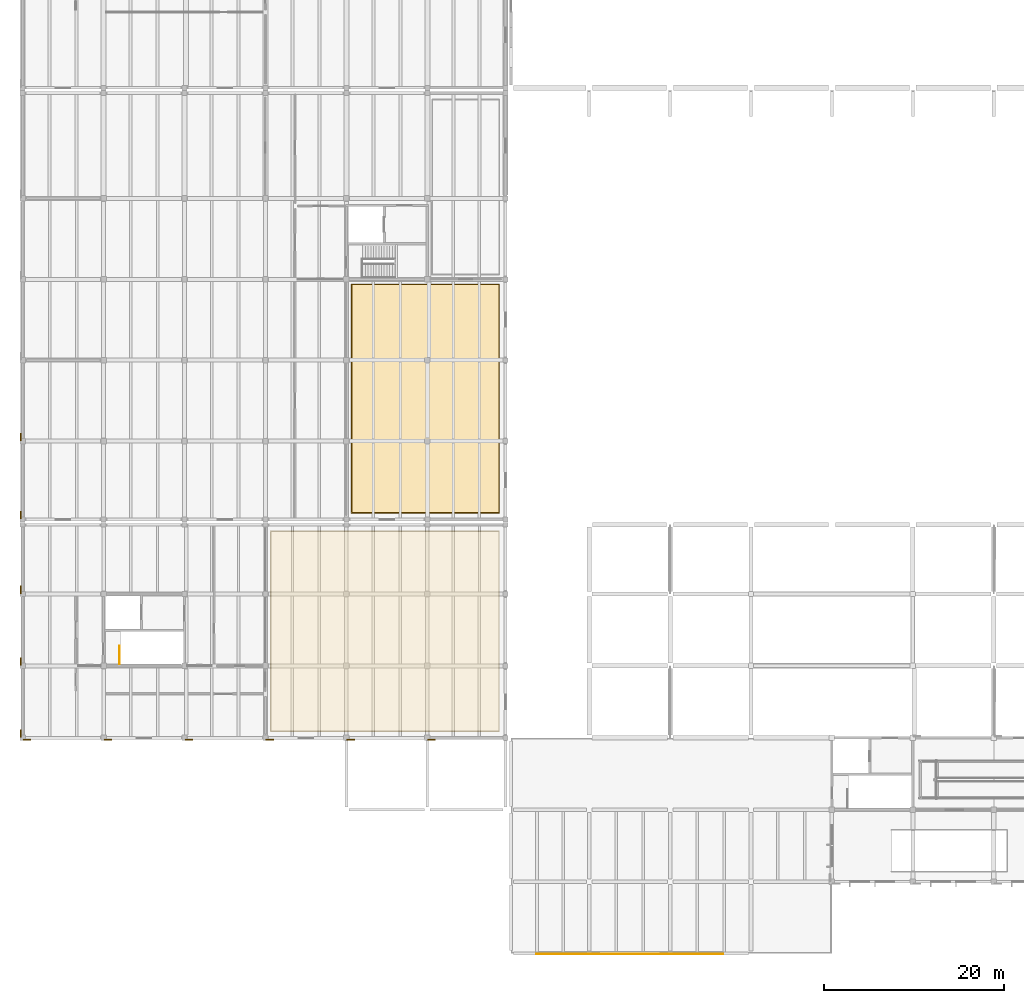
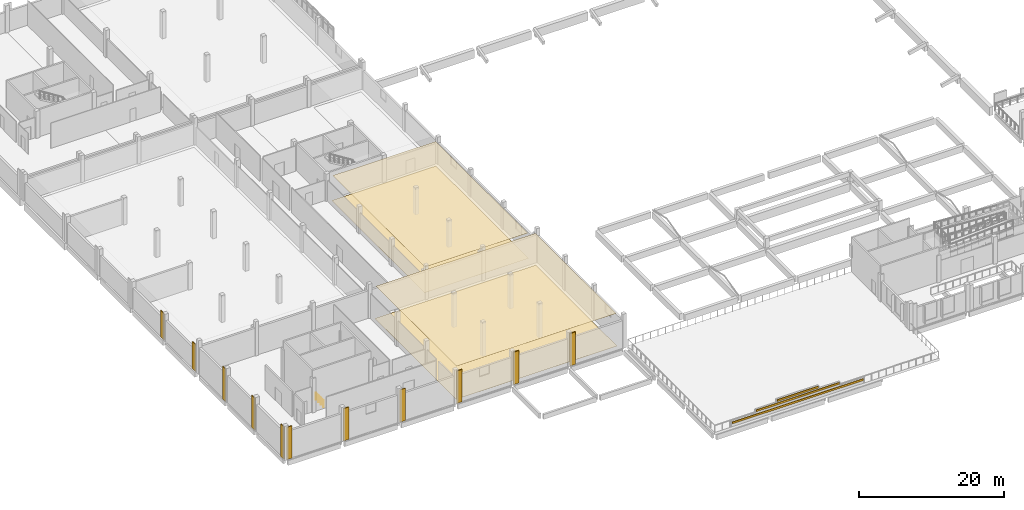
# One storey, part 48 of 63: 18 coverings, 1 railing.
"""IFC4 building model written with IfcOpenShell, lengths in metres."""

import ifcopenshell
import ifcopenshell.guid

model = None  # the IFC model being written
_history = None  # IfcOwnerHistory: only IFC2X3 demands one
_inside = {}  # id of a spatial element -> (the spatial element, [elements in it])
_under = {}  # id of a project, library or spatial element -> (it, [spatial elements below it])
_declared = {}  # id of a project -> (the project, [libraries it declares])
_typed = {}  # id of a type object -> (the type object, [elements of that type])
_made_of = {}  # id of a material, layer set ... -> (it, [elements and type objects made of it])


def new_model(schema):
    """Start an empty IFC model of exactly this schema.

    Asked for "IFC4X3", IfcOpenShell would pick the latest addendum, in which some entities
    have other attributes; the version numbers below select the first issue.
    IFC2X3 requires an IfcOwnerHistory on every rooted entity: one is made here for all.
    """
    global model, _history
    if schema == "IFC4X3":
        model = ifcopenshell.file(schema_version=(4, 3, 0, 0))
    else:
        model = ifcopenshell.file(schema=schema)
    _inside.clear()
    _under.clear()
    _declared.clear()
    _typed.clear()
    _made_of.clear()
    _history = None
    if model.schema == "IFC2X3":
        org = make("IfcOrganization", Name="unknown")
        user = make(
            "IfcPersonAndOrganization",
            ThePerson=make("IfcPerson", FamilyName="unknown"),
            TheOrganization=org,
        )
        app = make(
            "IfcApplication",
            ApplicationDeveloper=org,
            Version="unknown",
            ApplicationFullName="unknown",
            ApplicationIdentifier="unknown",
        )
        _history = make(
            "IfcOwnerHistory",
            OwningUser=user,
            OwningApplication=app,
            ChangeAction="ADDED",
            CreationDate=0,
        )
    return model


def make(cls, **values):
    """One entity of the class cls with the attributes given. An attribute that is None is left unset."""
    return model.create_entity(
        cls, **{name: value for name, value in values.items() if value is not None}
    )


def rooted(cls, **values):
    """An entity with a GlobalId (a new one), such as an element, a storey or a relation."""
    return make(cls, GlobalId=ifcopenshell.guid.new(), OwnerHistory=_history, **values)


def si_unit(unit_type, name, prefix=None):
    """IfcSIUnit, for example si_unit("LENGTHUNIT", "METRE", prefix="MILLI")."""
    return make("IfcSIUnit", UnitType=unit_type, Prefix=prefix, Name=name)


def assignment(units):
    """IfcUnitAssignment: the units of a project."""
    return None if units is None else make("IfcUnitAssignment", Units=units)


def point(xyz):
    """IfcCartesianPoint."""
    return None if xyz is None else make("IfcCartesianPoint", Coordinates=xyz)


def direction(xyz):
    """IfcDirection."""
    return None if xyz is None else make("IfcDirection", DirectionRatios=xyz)


def frame(location, z_axis=None, x_axis=None):
    """IfcAxis2Placement3D, a coordinate frame: its origin and axes. An axis left out is left unset."""
    return make(
        "IfcAxis2Placement3D",
        Location=point(location),
        Axis=direction(z_axis),
        RefDirection=direction(x_axis),
    )


def frame_2d(location, x_axis=None):
    """IfcAxis2Placement2D, a coordinate frame in the plane: its origin and x axis."""
    return make(
        "IfcAxis2Placement2D", Location=point(location), RefDirection=direction(x_axis)
    )


def origin():
    """The frame at (0, 0, 0) with its axes left unset."""
    return frame((0.0, 0.0, 0.0))


def origin_2d():
    """The frame at (0, 0) in the plane with its x axis left unset."""
    return frame_2d((0.0, 0.0))


def place(relative_to, where):
    """IfcLocalPlacement: puts the frame where relative to a parent placement (None: the world)."""
    return make(
        "IfcLocalPlacement", PlacementRelTo=relative_to, RelativePlacement=where
    )


def context(
    kind, dimensions, precision=None, world=None, true_north=None, identifier=None
):
    """IfcGeometricRepresentationContext, for example the 3D "Model" context."""
    return make(
        "IfcGeometricRepresentationContext",
        ContextIdentifier=identifier,
        ContextType=kind,
        CoordinateSpaceDimension=dimensions,
        Precision=precision,
        WorldCoordinateSystem=world,
        TrueNorth=true_north,
    )


def subcontext(parent, identifier, kind, view, scale=None):
    """IfcGeometricRepresentationSubContext, for example "Body" below "Model"."""
    return make(
        "IfcGeometricRepresentationSubContext",
        ContextIdentifier=identifier,
        ContextType=kind,
        ParentContext=parent,
        TargetScale=scale,
        TargetView=view,
    )


def project(units=None, contexts=None):
    """IfcProject with its units and contexts."""
    return rooted(
        "IfcProject",
        Name="project",
        RepresentationContexts=contexts,
        UnitsInContext=assignment(units),
    )


def spatial(cls, under=None, at=None, **own):
    """A site, building, storey or space (cls), placed at a placement, below another one or the project."""
    s = rooted(cls, ObjectPlacement=at, **own)
    if under is not None:
        _under.setdefault(under.id(), (under, []))[1].append(s)
    return s


def polyline(points):
    """IfcPolyline through the points."""
    return make("IfcPolyline", Points=[point(p) for p in points])


def profile(cls, at=None, kind="AREA", **sizes):
    """A parametric profile (cls). Its sizes go by their IFC names, for example OverallWidth=200.0."""
    return make(cls, ProfileType=kind, Position=at, **sizes)


def rectangle(**sizes):
    """IfcRectangleProfileDef."""
    return profile("IfcRectangleProfileDef", **sizes)


def circle(**sizes):
    """IfcCircleProfileDef."""
    return profile("IfcCircleProfileDef", **sizes)


def outline(outer, holes=None, kind="AREA"):
    """IfcArbitraryClosedProfileDef: a profile drawn as a closed curve; with holes, ...WithVoids."""
    if holes is None:
        return make("IfcArbitraryClosedProfileDef", ProfileType=kind, OuterCurve=outer)
    return make(
        "IfcArbitraryProfileDefWithVoids",
        ProfileType=kind,
        OuterCurve=outer,
        InnerCurves=holes,
    )


def extrude(swept, where, along, depth):
    """IfcExtrudedAreaSolid: the profile swept, set in the frame where, extruded along a direction by depth."""
    return make(
        "IfcExtrudedAreaSolid",
        SweptArea=swept,
        Position=where,
        ExtrudedDirection=direction(along),
        Depth=depth,
    )


def shape(context_of_items, identifier, shape_type, items):
    """IfcShapeRepresentation: the items that make up one representation, for example the "Body"."""
    return make(
        "IfcShapeRepresentation",
        ContextOfItems=context_of_items,
        RepresentationIdentifier=identifier,
        RepresentationType=shape_type,
        Items=items,
    )


def material(Name=None, Category=None):
    """IfcMaterial."""
    return make("IfcMaterial", Name=Name, Category=Category)


def layer(
    of_material, thickness, ventilated=None, Name=None, Category=None, Priority=None
):
    """IfcMaterialLayer: one layer of a wall or slab, of a material (None: an air gap)."""
    return make(
        "IfcMaterialLayer",
        Material=of_material,
        LayerThickness=thickness,
        IsVentilated=ventilated,
        Name=Name,
        Category=Category,
        Priority=Priority,
    )


def layer_set(layers, Name=None):
    """IfcMaterialLayerSet."""
    return make("IfcMaterialLayerSet", MaterialLayers=layers, LayerSetName=Name)


def made_of(thing, what):
    """Note that an element or type object is made of a material, layer set ...; save() writes the relation."""
    if what is not None:
        _made_of.setdefault(what.id(), (what, []))[1].append(thing)
    return thing


def type_object(cls, material=None, **own):
    """A type object (cls), such as IfcWallType, which elements share."""
    return made_of(rooted(cls, **own), material)


def element(
    cls,
    number,
    at=None,
    inside=None,
    cuts=None,
    type_object=None,
    material=None,
    context=None,
    identifier="Body",
    shape_type=None,
    held_by="IfcProductDefinitionShape",
    body=None,
    shapes=None,
    **own,
):
    """One element of the class cls, such as IfcWall. Its Tag is "e" and its number.

    at: its placement. inside: the storey or other place that contains it. cuts: it is an
    opening in that element (IfcRelVoidsElement). A single representation is given by context,
    identifier, shape_type and body (its items); several are given by shapes. held_by: the class
    of the entity that holds the representations. save() writes the other relations.
    """
    e = rooted(cls, Tag="e%d" % number, ObjectPlacement=at, **own)
    if body is not None:
        shapes = [shape(context, identifier, shape_type, body)]
    if shapes is not None:
        e.Representation = make(held_by, Representations=shapes)
    if inside is not None:
        _inside.setdefault(inside.id(), (inside, []))[1].append(e)
    if cuts is not None:
        rooted(
            "IfcRelVoidsElement", RelatingBuildingElement=cuts, RelatedOpeningElement=e
        )
    if type_object is not None:
        _typed.setdefault(type_object.id(), (type_object, []))[1].append(e)
    return made_of(e, material)


def aggregate(whole, parts):
    """IfcRelAggregates: a whole, such as a stair, and the parts it consists of."""
    return rooted("IfcRelAggregates", RelatingObject=whole, RelatedObjects=parts)


def save(model, path):
    """Write the relations noted so far, then the file.

    IfcRelAggregates (storeys below a building ...), IfcRelContainedInSpatialStructure (elements
    in a storey), IfcRelDefinesByType, IfcRelAssociatesMaterial and IfcRelDeclares: one each for
    every whole, place, type object, material and project.
    """
    for whole, parts in _under.values():
        aggregate(whole, parts)
    for where, things in _inside.values():
        rooted(
            "IfcRelContainedInSpatialStructure",
            RelatedElements=things,
            RelatingStructure=where,
        )
    for kind, things in _typed.values():
        rooted("IfcRelDefinesByType", RelatedObjects=things, RelatingType=kind)
    for what, things in _made_of.values():
        rooted("IfcRelAssociatesMaterial", RelatedObjects=things, RelatingMaterial=what)
    for by, libraries in _declared.values():
        rooted("IfcRelDeclares", RelatingContext=by, RelatedDefinitions=libraries)
    model.write(path)


model = new_model("IFC4")

# Units and contexts
model_context = context("Model", 3, precision=1e-05, world=origin(), true_north=direction((0.0, 1.0)))
body_context = subcontext(model_context, "Body", "Model", "MODEL_VIEW")
ifc_project = project(units=[si_unit("LENGTHUNIT", "METRE"), si_unit("AREAUNIT", "SQUARE_METRE"), si_unit("VOLUMEUNIT", "CUBIC_METRE"), si_unit("PLANEANGLEUNIT", "RADIAN"), si_unit("MASSUNIT", "GRAM", prefix="KILO")], contexts=[model_context])

# Site, building, storey
site_placement = place(None, origin())
site = spatial("IfcSite", under=ifc_project, at=site_placement, CompositionType="ELEMENT")
building_placement = place(site_placement, origin())
building = spatial("IfcBuilding", under=site, at=building_placement, Name="Zacnel Wholesale Market", CompositionType="ELEMENT")
storey_placement = place(building_placement, frame((0.0, 0.0, 11.199951171875)))
storey = spatial("IfcBuildingStorey", under=building, at=storey_placement, Name="L03", CompositionType="ELEMENT", Elevation=11.199951171875)

# Coverings
ifc_material_1 = material(Name="Micro-perforated acoustic gypsum ceiling")
ifc_layer_1 = layer(ifc_material_1, 0.02001953125)
ifc_layer_set_1 = layer_set([ifc_layer_1], Name="Micro-perforated acoustic gypsum ceiling")
covering_type_1 = type_object("IfcCoveringType", Name="COV-CEIL-AC-20", PredefinedType="CEILING", material=ifc_layer_set_1)
covering_1_placement = place(storey_placement, frame((0.0, 0.0, 5.449951171875)))
element("IfcCovering", 1, at=covering_1_placement, inside=storey, type_object=covering_type_1, Name="Acoustic ceiling L03-303", PredefinedType="CEILING", context=body_context, shape_type="SweptSolid", body=[
    extrude(outline(polyline([(45.60009765625, 24.75), (70.949951171875, 24.75), (70.949951171875, 46.949951171875), (45.60009765625, 46.949951171875), (45.60009765625, 24.75)])), origin(), (0.0, 0.0, 1.0), 0.02001953125),
])
covering_2_placement = place(storey_placement, frame((0.0, 0.0, 4.2099609375)))
element("IfcCovering", 2, at=covering_2_placement, inside=storey, type_object=covering_type_1, Name="Acoustic ceiling L03-306", PredefinedType="CEILING", context=body_context, shape_type="SweptSolid", body=[
    extrude(outline(polyline([(54.60009765625, 49.050048828125), (70.949951171875, 49.050048828125), (70.949951171875, 74.39990234375), (54.60009765625, 74.39990234375), (54.60009765625, 49.050048828125)])), origin(), (0.0, 0.0, 1.0), 0.02001953125),
])
ifc_material_2 = material(Name="Honed Yucatan Maya cream limestone", Category="masonry")
ifc_layer_2 = layer(ifc_material_2, 0.090087890625)
ifc_layer_set_2 = layer_set([ifc_layer_2], Name="Honed Yucatan Maya cream limestone")
covering_type_2 = type_object("IfcCoveringType", Name="COV-CLAD-FRET", PredefinedType="CLADDING", material=ifc_layer_set_2)
for number, where, z_axis, x_axis, name in (
    (3, (18.47998046875, 23.7900390625, 0.02001953125), (0.0, 0.0, 1.0), (1.0, 0.0, 0.0), "Fluted Mayan-Deco limestone pilaster L03-0162"),
    (4, (27.47998046875, 23.7900390625, 0.02001953125), (0.0, 0.0, 1.0), (1.0, 0.0, 0.0), "Fluted Mayan-Deco limestone pilaster L03-0163"),
    (5, (36.47998046875, 23.7900390625, 0.02001953125), (0.0, 0.0, 1.0), (1.0, 0.0, 0.0), "Fluted Mayan-Deco limestone pilaster L03-0164"),
    (6, (45.47998046875, 23.7900390625, 0.02001953125), (0.0, 0.0, 1.0), (1.0, 0.0, 0.0), "Fluted Mayan-Deco limestone pilaster L03-0165"),
    (7, (54.47998046875, 23.7900390625, 0.02001953125), (0.0, 0.0, 1.0), (1.0, 0.0, 0.0), "Fluted Mayan-Deco limestone pilaster L03-0166"),
    (8, (63.47998046875, 23.7900390625, 0.02001953125), (0.0, 0.0, 1.0), (1.0, 0.0, 0.0), "Fluted Mayan-Deco limestone pilaster L03-0167"),
    (9, (17.7900390625, 24.47998046875, 0.02001953125), (0.0, 0.0, 1.0), (0.0, 1.0, 0.0), "Fluted Mayan-Deco limestone pilaster L03-0168"),
    (10, (17.7900390625, 32.47998046875, 0.02001953125), (0.0, 0.0, 1.0), (0.0, 1.0, 0.0), "Fluted Mayan-Deco limestone pilaster L03-0169"),
    (11, (17.7900390625, 40.47998046875, 0.02001953125), (0.0, 0.0, 1.0), (0.0, 1.0, 0.0), "Fluted Mayan-Deco limestone pilaster L03-0170"),
):
    element("IfcCovering", number, at=place(storey_placement, frame(where, z_axis=z_axis, x_axis=x_axis)), inside=storey, type_object=covering_type_2, Name=name, PredefinedType="CLADDING", context=body_context, shape_type="SweptSolid", body=[
        extrude(rectangle(XDim=0.85009765625, YDim=0.1201171875, at=origin_2d()), origin(), (0.0, 0.0, 1.0), 5.429931640625),
    ])
for number, where, z_axis, x_axis, name in (
    (12, (17.7900390625, 48.780029296875, 0.02001953125), (0.0, 0.0, 1.0), (0.0, 1.0, 0.0), "Fluted Mayan-Deco limestone pilaster L03-0171"),
    (13, (17.7900390625, 57.47998046875, 0.02001953125), (0.0, 0.0, 1.0), (0.0, 1.0, 0.0), "Fluted Mayan-Deco limestone pilaster L03-0172"),
):
    element("IfcCovering", number, at=place(storey_placement, frame(where, z_axis=z_axis, x_axis=x_axis)), inside=storey, type_object=covering_type_2, Name=name, PredefinedType="CLADDING", context=body_context, shape_type="SweptSolid", body=[
        extrude(rectangle(XDim=0.85009765625, YDim=0.1201171875, at=origin_2d()), origin(), (0.0, 0.0, 1.0), 4.510009765625),
    ])
covering_3_placement = place(storey_placement, frame((85.5, -0.0400390625, 0.51025390625), z_axis=(0.0, 0.0, 1.0), x_axis=(1.0, 0.0, 0.0)))
element("IfcCovering", 14, at=covering_3_placement, inside=storey, type_object=covering_type_2, Name="Mayan greca stone relief ENV-CRN-V4SEA-1", PredefinedType="CLADDING", context=body_context, shape_type="SweptSolid", body=[
    extrude(rectangle(XDim=20.800048828125, YDim=0.090087890625, at=origin_2d()), origin(), (0.0, 0.0, 1.0), 0.320068359375),
])
covering_4_placement = place(storey_placement, frame((85.5, -0.0400390625, 1.2099609375), z_axis=(0.0, 0.0, 1.0), x_axis=(1.0, 0.0, 0.0)))
element("IfcCovering", 15, at=covering_4_placement, inside=storey, type_object=covering_type_2, Name="Mayan greca stone relief ENV-CRN-V4SEA-2", PredefinedType="CLADDING", context=body_context, shape_type="SweptSolid", body=[
    extrude(rectangle(XDim=13.239990234375, YDim=0.090087890625, at=origin_2d()), origin(), (0.0, 0.0, 1.0), 0.320068359375),
])
covering_5_placement = place(storey_placement, frame((85.5, -0.0400390625, 1.76025390625), z_axis=(0.0, 0.0, 1.0), x_axis=(1.0, 0.0, 0.0)))
element("IfcCovering", 16, at=covering_5_placement, inside=storey, type_object=covering_type_2, Name="Mayan greca stone relief ENV-CRN-V4SEA-3", PredefinedType="CLADDING", context=body_context, shape_type="SweptSolid", body=[
    extrude(rectangle(XDim=6.52001953125, YDim=0.090087890625, at=origin_2d()), origin(), (0.0, 0.0, 1.0), 0.320068359375),
])
ifc_material_3 = material(Name="Food-grade epoxy resin flooring")
ifc_layer_3 = layer(ifc_material_3, 0.011962890625)
ifc_layer_set_3 = layer_set([ifc_layer_3], Name="Food-grade epoxy resin flooring")
covering_type_3 = type_object("IfcCoveringType", Name="COV-FLR-EPOXY-12", PredefinedType="FLOORING", material=ifc_layer_set_3)
covering_6_placement = place(storey_placement, origin())
element("IfcCovering", 17, at=covering_6_placement, inside=storey, type_object=covering_type_3, Name="Hygienic epoxy floor finish L03-303", PredefinedType="FLOORING", context=body_context, shape_type="SweptSolid", body=[
    extrude(outline(polyline([(45.5, 24.64990234375), (71.050048828125, 24.64990234375), (71.050048828125, 47.050048828125), (45.5, 47.050048828125), (45.5, 24.64990234375)])), origin(), (0.0, 0.0, 1.0), 0.011962890625),
])
covering_7_placement = place(storey_placement, origin())
element("IfcCovering", 18, at=covering_7_placement, inside=storey, type_object=covering_type_3, Name="Hygienic epoxy floor finish L03-306", PredefinedType="FLOORING", context=body_context, shape_type="SweptSolid", body=[
    extrude(outline(polyline([(54.5, 48.949951171875), (71.050048828125, 48.949951171875), (71.050048828125, 74.5), (54.5, 74.5), (54.5, 48.949951171875)])), origin(), (0.0, 0.0, 1.0), 0.011962890625),
])

# Railing
ifc_material_4 = material(Name="Galvanized steel", Category="steel")
railing_type = type_object("IfcRailingType", Name="RAL-STAIR-GD1150", PredefinedType="BALUSTRADE", material=ifc_material_4)
railing_placement = place(storey_placement, frame((28.75, 32.18994140625, 0.0)))
element("IfcRailing", 19, at=railing_placement, inside=storey, type_object=railing_type, Name="Stair balustrade INT-STAIR-ST-08-GDWELL-1", PredefinedType="BALUSTRADE", context=body_context, shape_type="SweptSolid", body=[
    extrude(circle(Radius=0.02392578125, at=origin_2d()), frame((0.0, 0.0, 1.1259765625), z_axis=(0.0, 1.0, 0.0), x_axis=(-1.0, 0.0, 0.0)), (0.0, 0.0, 1.0), 2.06005859375),
    extrude(circle(Radius=0.02099609375, at=origin_2d()), origin(), (0.0, 0.0, 1.0), 1.101806640625),
    extrude(circle(Radius=0.02099609375, at=origin_2d()), frame((0.0, 0.686767578125, 0.0)), (0.0, 0.0, 1.0), 1.101806640625),
    extrude(circle(Radius=0.02099609375, at=origin_2d()), frame((0.0, 1.373291015625, 0.0)), (0.0, 0.0, 1.0), 1.101806640625),
    extrude(circle(Radius=0.02099609375, at=origin_2d()), frame((0.0, 2.06005859375, 0.0)), (0.0, 0.0, 1.0), 1.101806640625),
])

save(model, "model.ifc")
